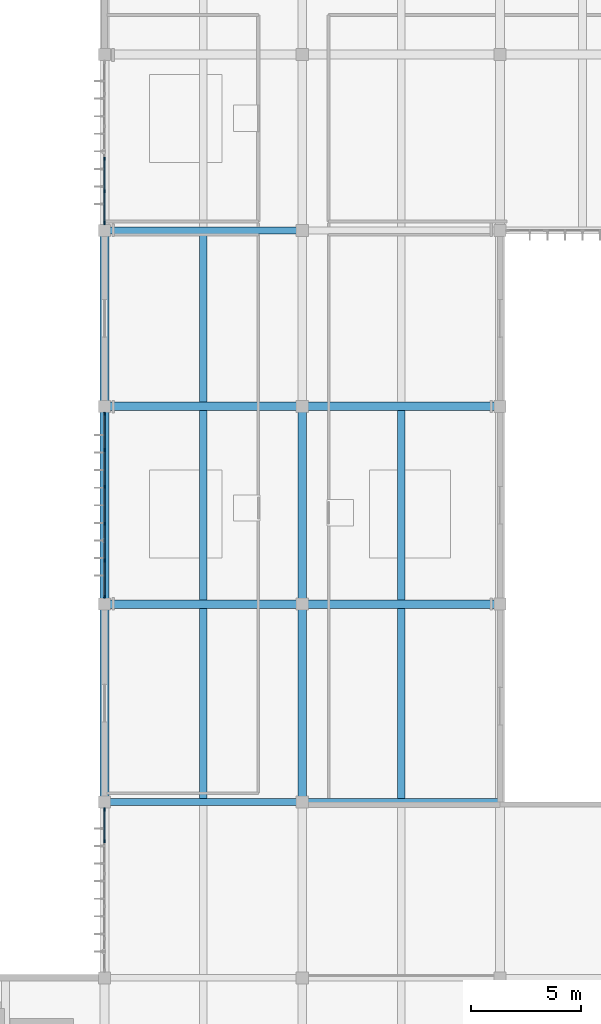
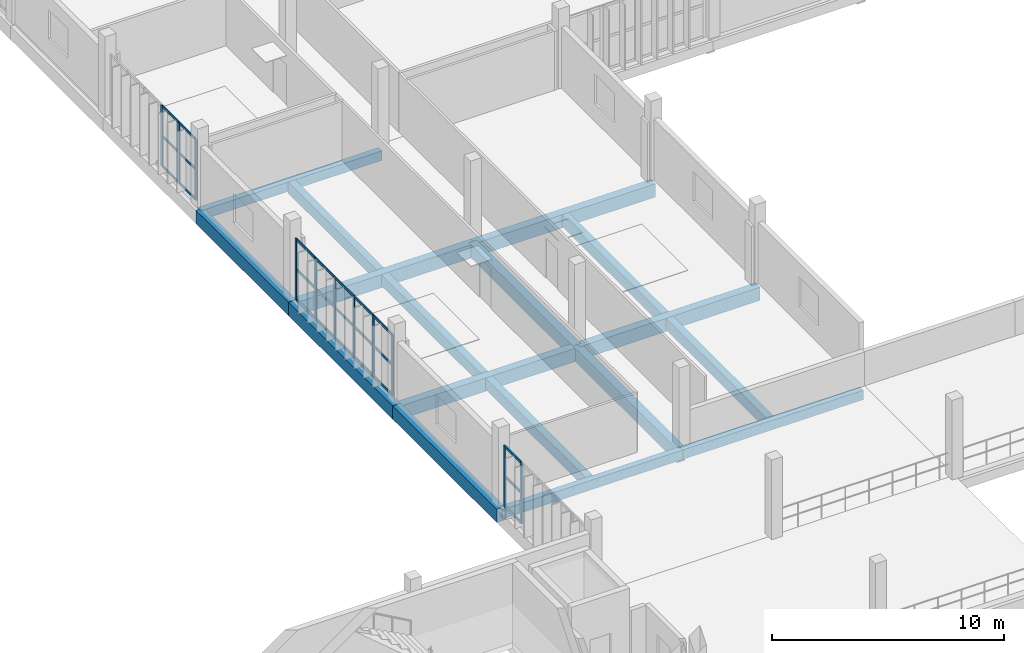
# One storey, part 8 of 61: 35 members, 17 beams, 3 elements without a shape of their own.
"""IFC4 building model written with IfcOpenShell, lengths in metres."""

from ifc_helpers import new_model, si_unit, direction, frame, origin, origin_2d, place, context, subcontext, project, spatial, rectangle, extrude, material, material_profile, profile_set, type_object, element, aggregate, save


model = new_model("IFC4")

# Units and contexts
model_context = context("Model", 3, precision=1e-05, world=origin(), true_north=direction((0.0, 1.0)))
body_context = subcontext(model_context, "Body", "Model", "MODEL_VIEW")
ifc_project = project(units=[si_unit("LENGTHUNIT", "METRE"), si_unit("AREAUNIT", "SQUARE_METRE"), si_unit("VOLUMEUNIT", "CUBIC_METRE"), si_unit("PLANEANGLEUNIT", "RADIAN"), si_unit("MASSUNIT", "GRAM", prefix="KILO")], contexts=[model_context])

# Site, building, storey
site_placement = place(None, origin())
site = spatial("IfcSite", under=ifc_project, at=site_placement, CompositionType="ELEMENT")
building_placement = place(site_placement, origin())
building = spatial("IfcBuilding", under=site, at=building_placement, Name="Vourika Railside Aquatics Centre", CompositionType="ELEMENT")
storey_placement = place(building_placement, frame((0.0, 0.0, 9.300048828125)))
storey = spatial("IfcBuildingStorey", under=building, at=storey_placement, Name="L02", CompositionType="ELEMENT", Elevation=9.300048828125)

# Beams
ifc_material_1 = material(Name="Concrete C35/45", Category="concrete")
ifc_material_profile_1 = material_profile(ifc_material_1, rectangle(XDim=0.39990234375, YDim=0.699951171875, at=origin_2d()), Name="RC 400x700")
ifc_profile_set_1 = profile_set([ifc_material_profile_1], Name="Concrete C35/45")
beam_type_1 = type_object("IfcBeamType", Name="BM-GIRD-400x700", PredefinedType="BEAM", material=ifc_profile_set_1)
for number, where, z_axis, x_axis, name in (
    (1, (18.0, 75.0, -0.630126953125), (1.0, 0.0, 0.0), (0.0, 1.0, 0.0), "Floor Beam GX-L02-074"),
    (2, (27.0, 75.0, -0.630126953125), (1.0, 0.0, 0.0), (0.0, 1.0, 0.0), "Floor Beam GX-L02-075"),
    (3, (18.0, 84.0, -0.630126953125), (1.0, 0.0, 0.0), (0.0, 1.0, 0.0), "Floor Beam GX-L02-079"),
    (4, (27.0, 84.0, -0.630126953125), (1.0, 0.0, 0.0), (0.0, 1.0, 0.0), "Floor Beam GX-L02-080"),
    (5, (18.0, 66.0, -0.630126953125), (0.0, 1.0, 0.0), (-1.0, 0.0, 0.0), "Floor Girder GY-L02-154"),
    (6, (18.0, 75.0, -0.630126953125), (0.0, 1.0, 0.0), (-1.0, 0.0, 0.0), "Floor Girder GY-L02-155"),
):
    element("IfcBeam", number, at=place(storey_placement, frame(where, z_axis=z_axis, x_axis=x_axis)), inside=storey, type_object=beam_type_1, Name=name, PredefinedType="BEAM", context=body_context, shape_type="SweptSolid", body=[
        extrude(rectangle(XDim=0.39990234375, YDim=0.699951171875, at=origin_2d()), origin(), (0.0, 0.0, 1.0), 9.0),
    ])
beam_1_placement = place(storey_placement, frame((18.0, 84.0, -0.630126953125), z_axis=(0.0, 1.0, 0.0), x_axis=(-1.0, 0.0, 0.0)))
element("IfcBeam", 7, at=beam_1_placement, inside=storey, type_object=beam_type_1, Name="Floor Girder GY-L02-156", PredefinedType="BEAM", context=body_context, shape_type="SweptSolid", body=[
    extrude(rectangle(XDim=0.39990234375, YDim=0.699951171875, at=origin_2d()), origin(), (0.0, 0.0, 1.0), 8.0),
])
for number, where, z_axis, x_axis, name in (
    (8, (27.0, 66.0, -0.630126953125), (0.0, 1.0, 0.0), (-1.0, 0.0, 0.0), "Floor Girder GY-L02-162"),
    (9, (27.0, 75.0, -0.630126953125), (0.0, 1.0, 0.0), (-1.0, 0.0, 0.0), "Floor Girder GY-L02-163"),
):
    element("IfcBeam", number, at=place(storey_placement, frame(where, z_axis=z_axis, x_axis=x_axis)), inside=storey, type_object=beam_type_1, Name=name, PredefinedType="BEAM", context=body_context, shape_type="SweptSolid", body=[
        extrude(rectangle(XDim=0.39990234375, YDim=0.699951171875, at=origin_2d()), origin(), (0.0, 0.0, 1.0), 9.0),
    ])
ifc_material_profile_2 = material_profile(ifc_material_1, rectangle(XDim=0.35009765625, YDim=0.60009765625, at=origin_2d()), Name="RC 350x600")
ifc_profile_set_2 = profile_set([ifc_material_profile_2], Name="Concrete C35/45")
beam_type_2 = type_object("IfcBeamType", Name="BM-SEC-350x600", PredefinedType="JOIST", material=ifc_profile_set_2)
for number, where, z_axis, x_axis, name in (
    (10, (22.5, 66.14990234375, -0.580078125), (0.0, 1.0, 0.0), (-1.0, 0.0, 0.0), "Secondary Joist JY-L02-320"),
    (11, (31.5, 66.14990234375, -0.580078125), (0.0, 1.0, 0.0), (-1.0, 0.0, 0.0), "Secondary Joist JY-L02-321"),
):
    element("IfcBeam", number, at=place(storey_placement, frame(where, z_axis=z_axis, x_axis=x_axis)), inside=storey, type_object=beam_type_2, Name=name, PredefinedType="JOIST", context=body_context, shape_type="SweptSolid", body=[
        extrude(rectangle(XDim=0.35009765625, YDim=0.60009765625, at=origin_2d()), origin(), (0.0, 0.0, 1.0), 8.650146484375),
    ])
for number, where, z_axis, x_axis, name in (
    (12, (22.5, 75.199951171875, -0.580078125), (0.0, 1.0, 0.0), (-1.0, 0.0, 0.0), "Secondary Joist JY-L02-325"),
    (13, (31.5, 75.199951171875, -0.580078125), (0.0, 1.0, 0.0), (-1.0, 0.0, 0.0), "Secondary Joist JY-L02-326"),
):
    element("IfcBeam", number, at=place(storey_placement, frame(where, z_axis=z_axis, x_axis=x_axis)), inside=storey, type_object=beam_type_2, Name=name, PredefinedType="JOIST", context=body_context, shape_type="SweptSolid", body=[
        extrude(rectangle(XDim=0.35009765625, YDim=0.60009765625, at=origin_2d()), origin(), (0.0, 0.0, 1.0), 8.60009765625),
    ])
beam_2_placement = place(storey_placement, frame((22.5, 84.199951171875, -0.580078125), z_axis=(0.0, 1.0, 0.0), x_axis=(-1.0, 0.0, 0.0)))
element("IfcBeam", 14, at=beam_2_placement, inside=storey, type_object=beam_type_2, Name="Secondary Joist JY-L02-330", PredefinedType="JOIST", context=body_context, shape_type="SweptSolid", body=[
    extrude(rectangle(XDim=0.35009765625, YDim=0.60009765625, at=origin_2d()), origin(), (0.0, 0.0, 1.0), 7.650146484375),
])
ifc_material_profile_3 = material_profile(ifc_material_1, rectangle(XDim=0.300048828125, YDim=0.5, at=origin_2d()), Name="RC 300x500")
ifc_profile_set_3 = profile_set([ifc_material_profile_3], Name="Concrete C35/45")
beam_type_3 = type_object("IfcBeamType", Name="BM-SPAN-300x500", PredefinedType="SPANDREL", material=ifc_profile_set_3)
for number, where, z_axis, x_axis, name in (
    (15, (18.0, 66.0, -0.530029296875), (1.0, 0.0, 0.0), (0.0, 1.0, 0.0), "Floor Beam GX-L02-069"),
    (16, (27.0, 66.0, -0.530029296875), (1.0, 0.0, 0.0), (0.0, 1.0, 0.0), "Floor Beam GX-L02-070"),
    (17, (18.0, 92.0, -0.530029296875), (1.0, 0.0, 0.0), (0.0, 1.0, 0.0), "Floor Beam GX-L02-084"),
):
    element("IfcBeam", number, at=place(storey_placement, frame(where, z_axis=z_axis, x_axis=x_axis)), inside=storey, type_object=beam_type_3, Name=name, PredefinedType="SPANDREL", context=body_context, shape_type="SweptSolid", body=[
        extrude(rectangle(XDim=0.300048828125, YDim=0.5, at=origin_2d()), origin(), (0.0, 0.0, 1.0), 9.0),
    ])

# Curtain wall, members
ifc_material_2 = material(Name="Anodized thermally broken aluminium", Category="aluminium")
curtain_wall_type = type_object("IfcCurtainWallType", Name="CW-FIT2", PredefinedType="NOTDEFINED", material=ifc_material_2)
curtain_wall_1_placement = place(storey_placement, origin())
curtain_wall_1 = element("IfcCurtainWall", 18, at=curtain_wall_1_placement, inside=storey, type_object=curtain_wall_type, Name="Fitness West Boulevard Curtain Wall L02-1", PredefinedType="NOTDEFINED")
ifc_material_3 = material(Name="Anodized aluminium mullion", Category="aluminium")
ifc_material_profile_4 = material_profile(ifc_material_3, rectangle(XDim=0.06005859375, YDim=0.14990234375, at=origin_2d()), Name="ALU-M 60x150")
ifc_profile_set_4 = profile_set([ifc_material_profile_4], Name="Anodized aluminium mullion")
member_type_1 = type_object("IfcMemberType", Name="CWM-FIT2", PredefinedType="MULLION", material=ifc_profile_set_4)
member_1_placement = place(storey_placement, frame((18.0, 65.6650390625, 0.0), z_axis=(0.0, 0.0, 1.0), x_axis=(1.0, 0.0, 0.0)))
member_1 = element("IfcMember", 19, at=member_1_placement, type_object=member_type_1, Name="CW16 mullion 1", PredefinedType="MULLION", context=body_context, shape_type="SweptSolid", body=[
    extrude(rectangle(XDim=0.06005859375, YDim=0.14990234375, at=origin_2d()), origin(), (0.0, 0.0, 1.0), 3.219970703125),
])
member_2_placement = place(storey_placement, frame((18.0, 64.217041015625, 0.0), z_axis=(0.0, 0.0, 1.0), x_axis=(1.0, 0.0, 0.0)))
member_2 = element("IfcMember", 20, at=member_2_placement, type_object=member_type_1, Name="CW16 mullion 2", PredefinedType="MULLION", context=body_context, shape_type="SweptSolid", body=[
    extrude(rectangle(XDim=0.06005859375, YDim=0.14990234375, at=origin_2d()), origin(), (0.0, 0.0, 1.0), 3.219970703125),
])

curtain_wall_2_placement = place(storey_placement, origin())
curtain_wall_2 = element("IfcCurtainWall", 21, at=curtain_wall_2_placement, inside=storey, type_object=curtain_wall_type, Name="Fitness West Boulevard Curtain Wall L02-3", PredefinedType="NOTDEFINED")
member_3_placement = place(storey_placement, frame((18.0, 83.6650390625, 0.0), z_axis=(0.0, 0.0, 1.0), x_axis=(1.0, 0.0, 0.0)))
member_3 = element("IfcMember", 22, at=member_3_placement, type_object=member_type_1, Name="CW16 mullion 1", PredefinedType="MULLION", context=body_context, shape_type="SweptSolid", body=[
    extrude(rectangle(XDim=0.06005859375, YDim=0.14990234375, at=origin_2d()), origin(), (0.0, 0.0, 1.0), 3.219970703125),
])
member_4_placement = place(storey_placement, frame((18.0, 82.01708984375, 0.0), z_axis=(0.0, 0.0, 1.0), x_axis=(1.0, 0.0, 0.0)))
member_4 = element("IfcMember", 23, at=member_4_placement, type_object=member_type_1, Name="CW16 mullion 2", PredefinedType="MULLION", context=body_context, shape_type="SweptSolid", body=[
    extrude(rectangle(XDim=0.06005859375, YDim=0.14990234375, at=origin_2d()), origin(), (0.0, 0.0, 1.0), 3.219970703125),
])
member_5_placement = place(storey_placement, frame((18.0, 80.339111328125, 0.0), z_axis=(0.0, 0.0, 1.0), x_axis=(1.0, 0.0, 0.0)))
member_5 = element("IfcMember", 24, at=member_5_placement, type_object=member_type_1, Name="CW16 mullion 3", PredefinedType="MULLION", context=body_context, shape_type="SweptSolid", body=[
    extrude(rectangle(XDim=0.06005859375, YDim=0.14990234375, at=origin_2d()), origin(), (0.0, 0.0, 1.0), 3.219970703125),
])
member_6_placement = place(storey_placement, frame((18.0, 78.660888671875, 0.0), z_axis=(0.0, 0.0, 1.0), x_axis=(1.0, 0.0, 0.0)))
member_6 = element("IfcMember", 25, at=member_6_placement, type_object=member_type_1, Name="CW16 mullion 4", PredefinedType="MULLION", context=body_context, shape_type="SweptSolid", body=[
    extrude(rectangle(XDim=0.06005859375, YDim=0.14990234375, at=origin_2d()), origin(), (0.0, 0.0, 1.0), 3.219970703125),
])
member_7_placement = place(storey_placement, frame((18.0, 76.98291015625, 0.0), z_axis=(0.0, 0.0, 1.0), x_axis=(1.0, 0.0, 0.0)))
member_7 = element("IfcMember", 26, at=member_7_placement, type_object=member_type_1, Name="CW16 mullion 5", PredefinedType="MULLION", context=body_context, shape_type="SweptSolid", body=[
    extrude(rectangle(XDim=0.06005859375, YDim=0.14990234375, at=origin_2d()), origin(), (0.0, 0.0, 1.0), 3.219970703125),
])
member_8_placement = place(storey_placement, frame((18.0, 75.3349609375, 0.0), z_axis=(0.0, 0.0, 1.0), x_axis=(1.0, 0.0, 0.0)))
member_8 = element("IfcMember", 27, at=member_8_placement, type_object=member_type_1, Name="CW16 mullion 6", PredefinedType="MULLION", context=body_context, shape_type="SweptSolid", body=[
    extrude(rectangle(XDim=0.06005859375, YDim=0.14990234375, at=origin_2d()), origin(), (0.0, 0.0, 1.0), 3.219970703125),
])

curtain_wall_3_placement = place(storey_placement, origin())
curtain_wall_3 = element("IfcCurtainWall", 28, at=curtain_wall_3_placement, inside=storey, type_object=curtain_wall_type, Name="Fitness West Boulevard Curtain Wall L02-5", PredefinedType="NOTDEFINED")
member_9_placement = place(storey_placement, frame((18.0, 95.260986328125, 0.0), z_axis=(0.0, 0.0, 1.0), x_axis=(1.0, 0.0, 0.0)))
member_9 = element("IfcMember", 29, at=member_9_placement, type_object=member_type_1, Name="CW16 mullion 4", PredefinedType="MULLION", context=body_context, shape_type="SweptSolid", body=[
    extrude(rectangle(XDim=0.06005859375, YDim=0.14990234375, at=origin_2d()), origin(), (0.0, 0.0, 1.0), 3.219970703125),
])
member_10_placement = place(storey_placement, frame((18.0, 93.782958984375, 0.0), z_axis=(0.0, 0.0, 1.0), x_axis=(1.0, 0.0, 0.0)))
member_10 = element("IfcMember", 30, at=member_10_placement, type_object=member_type_1, Name="CW16 mullion 5", PredefinedType="MULLION", context=body_context, shape_type="SweptSolid", body=[
    extrude(rectangle(XDim=0.06005859375, YDim=0.14990234375, at=origin_2d()), origin(), (0.0, 0.0, 1.0), 3.219970703125),
])
member_11_placement = place(storey_placement, frame((18.0, 92.3349609375, 0.0), z_axis=(0.0, 0.0, 1.0), x_axis=(1.0, 0.0, 0.0)))
member_11 = element("IfcMember", 31, at=member_11_placement, type_object=member_type_1, Name="CW16 mullion 6", PredefinedType="MULLION", context=body_context, shape_type="SweptSolid", body=[
    extrude(rectangle(XDim=0.06005859375, YDim=0.14990234375, at=origin_2d()), origin(), (0.0, 0.0, 1.0), 3.219970703125),
])

# Member
ifc_material_4 = material(Name="Anodized aluminium transom", Category="aluminium")
ifc_material_profile_5 = material_profile(ifc_material_4, rectangle(XDim=0.06005859375, YDim=0.117919921875, at=origin_2d()), Name="ALU-T 60x118")
ifc_profile_set_5 = profile_set([ifc_material_profile_5], Name="Anodized aluminium transom")
member_type_2 = type_object("IfcMemberType", Name="CWT-FIT2", PredefinedType="USERDEFINED", material=ifc_profile_set_5)
member_12_placement = place(storey_placement, frame((18.0, 65.635009765625, 0.030029296875), z_axis=(0.0, -1.0, 0.0), x_axis=(1.0, 0.0, 0.0)))
member_12 = element("IfcMember", 32, at=member_12_placement, type_object=member_type_2, Name="CW16 transom 1.1", ObjectType="TRANSOM", PredefinedType="USERDEFINED", context=body_context, shape_type="SweptSolid", body=[
    extrude(rectangle(XDim=0.06005859375, YDim=0.117919921875, at=origin_2d()), origin(), (0.0, 0.0, 1.0), 1.387939453125),
])

member_13_placement = place(storey_placement, frame((18.0, 65.635009765625, 1.60986328125), z_axis=(0.0, -1.0, 0.0), x_axis=(1.0, 0.0, 0.0)))
member_13 = element("IfcMember", 33, at=member_13_placement, type_object=member_type_2, Name="CW16 transom 1.2", ObjectType="TRANSOM", PredefinedType="USERDEFINED", context=body_context, shape_type="SweptSolid", body=[
    extrude(rectangle(XDim=0.06005859375, YDim=0.117919921875, at=origin_2d()), origin(), (0.0, 0.0, 1.0), 1.387939453125),
])

member_14_placement = place(storey_placement, frame((18.0, 65.635009765625, 3.18994140625), z_axis=(0.0, -1.0, 0.0), x_axis=(1.0, 0.0, 0.0)))
member_14 = element("IfcMember", 34, at=member_14_placement, type_object=member_type_2, Name="CW16 transom 1.3", ObjectType="TRANSOM", PredefinedType="USERDEFINED", context=body_context, shape_type="SweptSolid", body=[
    extrude(rectangle(XDim=0.06005859375, YDim=0.117919921875, at=origin_2d()), origin(), (0.0, 0.0, 1.0), 1.387939453125),
])

aggregate(curtain_wall_1, [member_1, member_2, member_12, member_13, member_14])

member_15_placement = place(storey_placement, frame((18.0, 83.635009765625, 0.030029296875), z_axis=(0.0, -1.0, 0.0), x_axis=(1.0, 0.0, 0.0)))
member_15 = element("IfcMember", 35, at=member_15_placement, type_object=member_type_2, Name="CW16 transom 1.1", ObjectType="TRANSOM", PredefinedType="USERDEFINED", context=body_context, shape_type="SweptSolid", body=[
    extrude(rectangle(XDim=0.06005859375, YDim=0.117919921875, at=origin_2d()), origin(), (0.0, 0.0, 1.0), 1.587890625),
])

member_16_placement = place(storey_placement, frame((18.0, 83.635009765625, 1.60986328125), z_axis=(0.0, -1.0, 0.0), x_axis=(1.0, 0.0, 0.0)))
member_16 = element("IfcMember", 36, at=member_16_placement, type_object=member_type_2, Name="CW16 transom 1.2", ObjectType="TRANSOM", PredefinedType="USERDEFINED", context=body_context, shape_type="SweptSolid", body=[
    extrude(rectangle(XDim=0.06005859375, YDim=0.117919921875, at=origin_2d()), origin(), (0.0, 0.0, 1.0), 1.587890625),
])

member_17_placement = place(storey_placement, frame((18.0, 83.635009765625, 3.18994140625), z_axis=(0.0, -1.0, 0.0), x_axis=(1.0, 0.0, 0.0)))
member_17 = element("IfcMember", 37, at=member_17_placement, type_object=member_type_2, Name="CW16 transom 1.3", ObjectType="TRANSOM", PredefinedType="USERDEFINED", context=body_context, shape_type="SweptSolid", body=[
    extrude(rectangle(XDim=0.06005859375, YDim=0.117919921875, at=origin_2d()), origin(), (0.0, 0.0, 1.0), 1.587890625),
])

member_18_placement = place(storey_placement, frame((18.0, 81.987060546875, 0.030029296875), z_axis=(0.0, -1.0, 0.0), x_axis=(1.0, 0.0, 0.0)))
member_18 = element("IfcMember", 38, at=member_18_placement, type_object=member_type_2, Name="CW16 transom 2.1", ObjectType="TRANSOM", PredefinedType="USERDEFINED", context=body_context, shape_type="SweptSolid", body=[
    extrude(rectangle(XDim=0.06005859375, YDim=0.117919921875, at=origin_2d()), origin(), (0.0, 0.0, 1.0), 1.6181640625),
])

member_19_placement = place(storey_placement, frame((18.0, 81.987060546875, 1.60986328125), z_axis=(0.0, -1.0, 0.0), x_axis=(1.0, 0.0, 0.0)))
member_19 = element("IfcMember", 39, at=member_19_placement, type_object=member_type_2, Name="CW16 transom 2.2", ObjectType="TRANSOM", PredefinedType="USERDEFINED", context=body_context, shape_type="SweptSolid", body=[
    extrude(rectangle(XDim=0.06005859375, YDim=0.117919921875, at=origin_2d()), origin(), (0.0, 0.0, 1.0), 1.6181640625),
])

member_20_placement = place(storey_placement, frame((18.0, 81.987060546875, 3.18994140625), z_axis=(0.0, -1.0, 0.0), x_axis=(1.0, 0.0, 0.0)))
member_20 = element("IfcMember", 40, at=member_20_placement, type_object=member_type_2, Name="CW16 transom 2.3", ObjectType="TRANSOM", PredefinedType="USERDEFINED", context=body_context, shape_type="SweptSolid", body=[
    extrude(rectangle(XDim=0.06005859375, YDim=0.117919921875, at=origin_2d()), origin(), (0.0, 0.0, 1.0), 1.6181640625),
])

member_21_placement = place(storey_placement, frame((18.0, 80.30908203125, 0.030029296875), z_axis=(0.0, -1.0, 0.0), x_axis=(1.0, 0.0, 0.0)))
member_21 = element("IfcMember", 41, at=member_21_placement, type_object=member_type_2, Name="CW16 transom 3.1", ObjectType="TRANSOM", PredefinedType="USERDEFINED", context=body_context, shape_type="SweptSolid", body=[
    extrude(rectangle(XDim=0.06005859375, YDim=0.117919921875, at=origin_2d()), origin(), (0.0, 0.0, 1.0), 1.6181640625),
])

member_22_placement = place(storey_placement, frame((18.0, 80.30908203125, 1.60986328125), z_axis=(0.0, -1.0, 0.0), x_axis=(1.0, 0.0, 0.0)))
member_22 = element("IfcMember", 42, at=member_22_placement, type_object=member_type_2, Name="CW16 transom 3.2", ObjectType="TRANSOM", PredefinedType="USERDEFINED", context=body_context, shape_type="SweptSolid", body=[
    extrude(rectangle(XDim=0.06005859375, YDim=0.117919921875, at=origin_2d()), origin(), (0.0, 0.0, 1.0), 1.6181640625),
])

member_23_placement = place(storey_placement, frame((18.0, 80.30908203125, 3.18994140625), z_axis=(0.0, -1.0, 0.0), x_axis=(1.0, 0.0, 0.0)))
member_23 = element("IfcMember", 43, at=member_23_placement, type_object=member_type_2, Name="CW16 transom 3.3", ObjectType="TRANSOM", PredefinedType="USERDEFINED", context=body_context, shape_type="SweptSolid", body=[
    extrude(rectangle(XDim=0.06005859375, YDim=0.117919921875, at=origin_2d()), origin(), (0.0, 0.0, 1.0), 1.6181640625),
])

member_24_placement = place(storey_placement, frame((18.0, 78.631103515625, 0.030029296875), z_axis=(0.0, -1.0, 0.0), x_axis=(1.0, 0.0, 0.0)))
member_24 = element("IfcMember", 44, at=member_24_placement, type_object=member_type_2, Name="CW16 transom 4.1", ObjectType="TRANSOM", PredefinedType="USERDEFINED", context=body_context, shape_type="SweptSolid", body=[
    extrude(rectangle(XDim=0.06005859375, YDim=0.117919921875, at=origin_2d()), origin(), (0.0, 0.0, 1.0), 1.6181640625),
])

member_25_placement = place(storey_placement, frame((18.0, 78.631103515625, 1.60986328125), z_axis=(0.0, -1.0, 0.0), x_axis=(1.0, 0.0, 0.0)))
member_25 = element("IfcMember", 45, at=member_25_placement, type_object=member_type_2, Name="CW16 transom 4.2", ObjectType="TRANSOM", PredefinedType="USERDEFINED", context=body_context, shape_type="SweptSolid", body=[
    extrude(rectangle(XDim=0.06005859375, YDim=0.117919921875, at=origin_2d()), origin(), (0.0, 0.0, 1.0), 1.6181640625),
])

member_26_placement = place(storey_placement, frame((18.0, 78.631103515625, 3.18994140625), z_axis=(0.0, -1.0, 0.0), x_axis=(1.0, 0.0, 0.0)))
member_26 = element("IfcMember", 46, at=member_26_placement, type_object=member_type_2, Name="CW16 transom 4.3", ObjectType="TRANSOM", PredefinedType="USERDEFINED", context=body_context, shape_type="SweptSolid", body=[
    extrude(rectangle(XDim=0.06005859375, YDim=0.117919921875, at=origin_2d()), origin(), (0.0, 0.0, 1.0), 1.6181640625),
])

member_27_placement = place(storey_placement, frame((18.0, 76.952880859375, 0.030029296875), z_axis=(0.0, -1.0, 0.0), x_axis=(1.0, 0.0, 0.0)))
member_27 = element("IfcMember", 47, at=member_27_placement, type_object=member_type_2, Name="CW16 transom 5.1", ObjectType="TRANSOM", PredefinedType="USERDEFINED", context=body_context, shape_type="SweptSolid", body=[
    extrude(rectangle(XDim=0.06005859375, YDim=0.117919921875, at=origin_2d()), origin(), (0.0, 0.0, 1.0), 1.587890625),
])

member_28_placement = place(storey_placement, frame((18.0, 76.952880859375, 1.60986328125), z_axis=(0.0, -1.0, 0.0), x_axis=(1.0, 0.0, 0.0)))
member_28 = element("IfcMember", 48, at=member_28_placement, type_object=member_type_2, Name="CW16 transom 5.2", ObjectType="TRANSOM", PredefinedType="USERDEFINED", context=body_context, shape_type="SweptSolid", body=[
    extrude(rectangle(XDim=0.06005859375, YDim=0.117919921875, at=origin_2d()), origin(), (0.0, 0.0, 1.0), 1.587890625),
])

member_29_placement = place(storey_placement, frame((18.0, 76.952880859375, 3.18994140625), z_axis=(0.0, -1.0, 0.0), x_axis=(1.0, 0.0, 0.0)))
member_29 = element("IfcMember", 49, at=member_29_placement, type_object=member_type_2, Name="CW16 transom 5.3", ObjectType="TRANSOM", PredefinedType="USERDEFINED", context=body_context, shape_type="SweptSolid", body=[
    extrude(rectangle(XDim=0.06005859375, YDim=0.117919921875, at=origin_2d()), origin(), (0.0, 0.0, 1.0), 1.587890625),
])

aggregate(curtain_wall_2, [member_3, member_4, member_5, member_6, member_7, member_8, member_15, member_16, member_17, member_18, member_19, member_20, member_21, member_22, member_23, member_24, member_25, member_26, member_27, member_28, member_29])

member_30_placement = place(storey_placement, frame((18.0, 95.23095703125, 0.030029296875), z_axis=(0.0, -1.0, 0.0), x_axis=(1.0, 0.0, 0.0)))
member_30 = element("IfcMember", 50, at=member_30_placement, type_object=member_type_2, Name="CW16 transom 4.1", ObjectType="TRANSOM", PredefinedType="USERDEFINED", context=body_context, shape_type="SweptSolid", body=[
    extrude(rectangle(XDim=0.06005859375, YDim=0.117919921875, at=origin_2d()), origin(), (0.0, 0.0, 1.0), 1.41796875),
])

member_31_placement = place(storey_placement, frame((18.0, 95.23095703125, 1.60986328125), z_axis=(0.0, -1.0, 0.0), x_axis=(1.0, 0.0, 0.0)))
member_31 = element("IfcMember", 51, at=member_31_placement, type_object=member_type_2, Name="CW16 transom 4.2", ObjectType="TRANSOM", PredefinedType="USERDEFINED", context=body_context, shape_type="SweptSolid", body=[
    extrude(rectangle(XDim=0.06005859375, YDim=0.117919921875, at=origin_2d()), origin(), (0.0, 0.0, 1.0), 1.41796875),
])

member_32_placement = place(storey_placement, frame((18.0, 95.23095703125, 3.18994140625), z_axis=(0.0, -1.0, 0.0), x_axis=(1.0, 0.0, 0.0)))
member_32 = element("IfcMember", 52, at=member_32_placement, type_object=member_type_2, Name="CW16 transom 4.3", ObjectType="TRANSOM", PredefinedType="USERDEFINED", context=body_context, shape_type="SweptSolid", body=[
    extrude(rectangle(XDim=0.06005859375, YDim=0.117919921875, at=origin_2d()), origin(), (0.0, 0.0, 1.0), 1.41796875),
])

member_33_placement = place(storey_placement, frame((18.0, 93.7529296875, 0.030029296875), z_axis=(0.0, -1.0, 0.0), x_axis=(1.0, 0.0, 0.0)))
member_33 = element("IfcMember", 53, at=member_33_placement, type_object=member_type_2, Name="CW16 transom 5.1", ObjectType="TRANSOM", PredefinedType="USERDEFINED", context=body_context, shape_type="SweptSolid", body=[
    extrude(rectangle(XDim=0.06005859375, YDim=0.117919921875, at=origin_2d()), origin(), (0.0, 0.0, 1.0), 1.387939453125),
])

member_34_placement = place(storey_placement, frame((18.0, 93.7529296875, 1.60986328125), z_axis=(0.0, -1.0, 0.0), x_axis=(1.0, 0.0, 0.0)))
member_34 = element("IfcMember", 54, at=member_34_placement, type_object=member_type_2, Name="CW16 transom 5.2", ObjectType="TRANSOM", PredefinedType="USERDEFINED", context=body_context, shape_type="SweptSolid", body=[
    extrude(rectangle(XDim=0.06005859375, YDim=0.117919921875, at=origin_2d()), origin(), (0.0, 0.0, 1.0), 1.387939453125),
])

member_35_placement = place(storey_placement, frame((18.0, 93.7529296875, 3.18994140625), z_axis=(0.0, -1.0, 0.0), x_axis=(1.0, 0.0, 0.0)))
member_35 = element("IfcMember", 55, at=member_35_placement, type_object=member_type_2, Name="CW16 transom 5.3", ObjectType="TRANSOM", PredefinedType="USERDEFINED", context=body_context, shape_type="SweptSolid", body=[
    extrude(rectangle(XDim=0.06005859375, YDim=0.117919921875, at=origin_2d()), origin(), (0.0, 0.0, 1.0), 1.387939453125),
])

aggregate(curtain_wall_3, [member_9, member_10, member_11, member_30, member_31, member_32, member_33, member_34, member_35])

save(model, "model.ifc")
